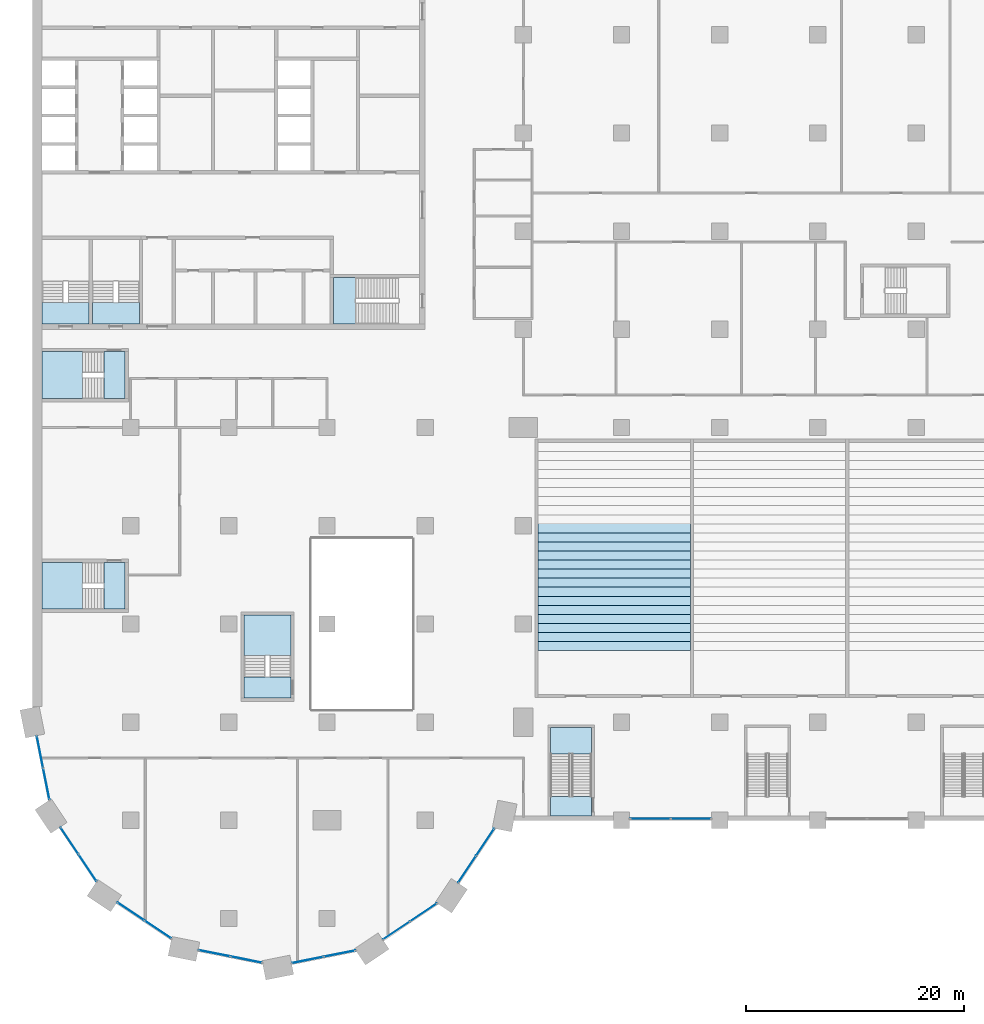
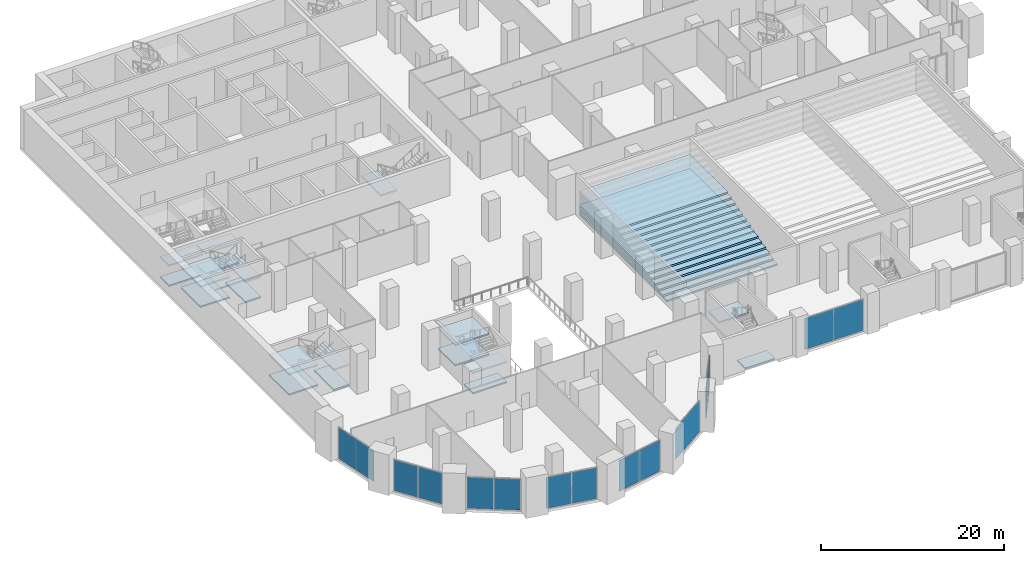
# One storey, part 10 of 44: 33 slabs, 16 plates, 15 elements without a shape of their own.
"""IFC4 building model written with IfcOpenShell, lengths in metres."""

from ifc_helpers import new_model, si_unit, direction, frame, origin, origin_2d, place, context, subcontext, project, spatial, polyline, rectangle, outline, extrude, material, layer, layer_set, type_object, element, aggregate, save


model = new_model("IFC4")

# Units and contexts
model_context = context("Model", 3, precision=1e-05, world=origin(), true_north=direction((0.0, 1.0)))
body_context = subcontext(model_context, "Body", "Model", "MODEL_VIEW")
ifc_project = project(units=[si_unit("LENGTHUNIT", "METRE"), si_unit("AREAUNIT", "SQUARE_METRE"), si_unit("VOLUMEUNIT", "CUBIC_METRE"), si_unit("PLANEANGLEUNIT", "RADIAN"), si_unit("MASSUNIT", "GRAM", prefix="KILO")], contexts=[model_context])

# Site, building, storey
site_placement = place(None, origin())
site = spatial("IfcSite", under=ifc_project, at=site_placement, CompositionType="ELEMENT")
building_placement = place(site_placement, origin())
building = spatial("IfcBuilding", under=site, at=building_placement, Name="Hunhe Ridgeline Campus", CompositionType="ELEMENT")
storey_placement = place(building_placement, frame((0.0, 0.0, 6.0)))
storey = spatial("IfcBuildingStorey", under=building, at=storey_placement, Name="L01", CompositionType="ELEMENT", Elevation=6.0)

# Curtain wall, plates
ifc_material_1 = material(Name="Aluminium and glass", Category="aluminium")
curtain_wall_type = type_object("IfcCurtainWallType", Name="Podium curtain wall CW-2", PredefinedType="NOTDEFINED", material=ifc_material_1)
curtain_wall_1_placement = place(storey_placement, origin())
curtain_wall_1 = element("IfcCurtainWall", 1, at=curtain_wall_1_placement, inside=storey, type_object=curtain_wall_type, Name="L01 podium curtain wall 9", PredefinedType="NOTDEFINED")
ifc_material_2 = material(Name="Clear glass", Category="glass")
ifc_layer_1 = layer(ifc_material_2, 0.028076171875)
ifc_layer_set_1 = layer_set([ifc_layer_1], Name="CW-2 clear glass panel 28")
plate_type = type_object("IfcPlateType", Name="CW-2 clear glass panel 28", PredefinedType="CURTAIN_PANEL", material=ifc_layer_set_1)
plate_1_placement = place(storey_placement, frame((0.69677734375, 24.265869140625, 0.06005859375), z_axis=(0.0, 0.0, 1.0), x_axis=(0.195098458454, -0.98078366193, 0.0)))
plate_1 = element("IfcPlate", 2, at=plate_1_placement, type_object=plate_type, Name="CW2 panel 1.1", PredefinedType="CURTAIN_PANEL", context=body_context, shape_type="SweptSolid", body=[
    extrude(rectangle(XDim=2.914794921875, YDim=0.028076171875, at=origin_2d()), origin(), (0.0, 0.0, 1.0), 4.1298828125),
])
plate_2_placement = place(storey_placement, frame((1.277099609375, 21.34814453125, 0.06005859375), z_axis=(0.0, 0.0, 1.0), x_axis=(0.195098458454, -0.98078366193, 0.0)))
plate_2 = element("IfcPlate", 3, at=plate_2_placement, type_object=plate_type, Name="CW2 panel 2.1", PredefinedType="CURTAIN_PANEL", context=body_context, shape_type="SweptSolid", body=[
    extrude(rectangle(XDim=2.914794921875, YDim=0.028076171875, at=origin_2d()), origin(), (0.0, 0.0, 1.0), 4.1298828125),
])
aggregate(curtain_wall_1, [plate_1, plate_2])

curtain_wall_2_placement = place(storey_placement, origin())
curtain_wall_2 = element("IfcCurtainWall", 4, at=curtain_wall_2_placement, inside=storey, type_object=curtain_wall_type, Name="L01 podium curtain wall 10", PredefinedType="NOTDEFINED")
plate_3_placement = place(storey_placement, frame((3.40283203125, 16.13037109375, 0.06005859375), z_axis=(0.0, 0.0, 1.0), x_axis=(0.555579224709, -0.831463604177, 0.0)))
plate_3 = element("IfcPlate", 5, at=plate_3_placement, type_object=plate_type, Name="CW2 panel 1.1", PredefinedType="CURTAIN_PANEL", context=body_context, shape_type="SweptSolid", body=[
    extrude(rectangle(XDim=2.914794921875, YDim=0.028076171875, at=origin_2d()), origin(), (0.0, 0.0, 1.0), 4.1298828125),
])
plate_4_placement = place(storey_placement, frame((5.055419921875, 13.65673828125, 0.06005859375), z_axis=(0.0, 0.0, 1.0), x_axis=(0.555579224709, -0.831463604177, 0.0)))
plate_4 = element("IfcPlate", 6, at=plate_4_placement, type_object=plate_type, Name="CW2 panel 2.1", PredefinedType="CURTAIN_PANEL", context=body_context, shape_type="SweptSolid", body=[
    extrude(rectangle(XDim=2.914794921875, YDim=0.028076171875, at=origin_2d()), origin(), (0.0, 0.0, 1.0), 4.1298828125),
])
aggregate(curtain_wall_2, [plate_3, plate_4])

curtain_wall_3_placement = place(storey_placement, origin())
curtain_wall_3 = element("IfcCurtainWall", 7, at=curtain_wall_3_placement, inside=storey, type_object=curtain_wall_type, Name="L01 podium curtain wall 11", PredefinedType="NOTDEFINED")
plate_5_placement = place(storey_placement, frame((9.01611328125, 9.649658203125, 0.06005859375), z_axis=(0.0, 0.0, 1.0), x_axis=(0.831468740176, -0.555571538247, 0.0)))
plate_5 = element("IfcPlate", 8, at=plate_5_placement, type_object=plate_type, Name="CW2 panel 1.1", PredefinedType="CURTAIN_PANEL", context=body_context, shape_type="SweptSolid", body=[
    extrude(rectangle(XDim=2.9150390625, YDim=0.028076171875, at=origin_2d()), origin(), (0.0, 0.0, 1.0), 4.1298828125),
])
plate_6_placement = place(storey_placement, frame((11.489501953125, 7.996826171875, 0.06005859375), z_axis=(0.0, 0.0, 1.0), x_axis=(0.831468740176, -0.555571538247, 0.0)))
plate_6 = element("IfcPlate", 9, at=plate_6_placement, type_object=plate_type, Name="CW2 panel 2.1", PredefinedType="CURTAIN_PANEL", context=body_context, shape_type="SweptSolid", body=[
    extrude(rectangle(XDim=2.9150390625, YDim=0.028076171875, at=origin_2d()), origin(), (0.0, 0.0, 1.0), 4.1298828125),
])
aggregate(curtain_wall_3, [plate_5, plate_6])

curtain_wall_4_placement = place(storey_placement, origin())
curtain_wall_4 = element("IfcCurtainWall", 10, at=curtain_wall_4_placement, inside=storey, type_object=curtain_wall_type, Name="L01 podium curtain wall 12", PredefinedType="NOTDEFINED")
plate_7_placement = place(storey_placement, frame((16.68212890625, 5.81005859375, 0.06005859375), z_axis=(0.0, 0.0, 1.0), x_axis=(0.980787479014, -0.195079268527, 0.0)))
plate_7 = element("IfcPlate", 11, at=plate_7_placement, type_object=plate_type, Name="CW2 panel 1.1", PredefinedType="CURTAIN_PANEL", context=body_context, shape_type="SweptSolid", body=[
    extrude(rectangle(XDim=2.9150390625, YDim=0.028076171875, at=origin_2d()), origin(), (0.0, 0.0, 1.0), 4.1298828125),
])
plate_8_placement = place(storey_placement, frame((19.60009765625, 5.229736328125, 0.06005859375), z_axis=(0.0, 0.0, 1.0), x_axis=(0.980787479014, -0.195079268527, 0.0)))
plate_8 = element("IfcPlate", 12, at=plate_8_placement, type_object=plate_type, Name="CW2 panel 2.1", PredefinedType="CURTAIN_PANEL", context=body_context, shape_type="SweptSolid", body=[
    extrude(rectangle(XDim=2.9150390625, YDim=0.028076171875, at=origin_2d()), origin(), (0.0, 0.0, 1.0), 4.1298828125),
])
aggregate(curtain_wall_4, [plate_7, plate_8])

curtain_wall_5_placement = place(storey_placement, origin())
curtain_wall_5 = element("IfcCurtainWall", 13, at=curtain_wall_5_placement, inside=storey, type_object=curtain_wall_type, Name="L01 podium curtain wall 13", PredefinedType="NOTDEFINED")
plate_9_placement = place(storey_placement, frame((25.234130859375, 5.19677734375, 0.06005859375), z_axis=(0.0, 0.0, 1.0), x_axis=(0.98078366193, 0.195098458454, 0.0)))
plate_9 = element("IfcPlate", 14, at=plate_9_placement, type_object=plate_type, Name="CW2 panel 1.1", PredefinedType="CURTAIN_PANEL", context=body_context, shape_type="SweptSolid", body=[
    extrude(rectangle(XDim=2.914794921875, YDim=0.028076171875, at=origin_2d()), origin(), (0.0, 0.0, 1.0), 4.1298828125),
])
plate_10_placement = place(storey_placement, frame((28.15185546875, 5.777099609375, 0.06005859375), z_axis=(0.0, 0.0, 1.0), x_axis=(0.98078366193, 0.195098458454, 0.0)))
plate_10 = element("IfcPlate", 15, at=plate_10_placement, type_object=plate_type, Name="CW2 panel 2.1", PredefinedType="CURTAIN_PANEL", context=body_context, shape_type="SweptSolid", body=[
    extrude(rectangle(XDim=2.914794921875, YDim=0.028076171875, at=origin_2d()), origin(), (0.0, 0.0, 1.0), 4.1298828125),
])
aggregate(curtain_wall_5, [plate_9, plate_10])

curtain_wall_6_placement = place(storey_placement, origin())
curtain_wall_6 = element("IfcCurtainWall", 16, at=curtain_wall_6_placement, inside=storey, type_object=curtain_wall_type, Name="L01 podium curtain wall 14", PredefinedType="NOTDEFINED")
plate_11_placement = place(storey_placement, frame((33.36962890625, 7.90283203125, 0.06005859375), z_axis=(0.0, 0.0, 1.0), x_axis=(0.831463604177, 0.555579224709, 0.0)))
plate_11 = element("IfcPlate", 17, at=plate_11_placement, type_object=plate_type, Name="CW2 panel 1.1", PredefinedType="CURTAIN_PANEL", context=body_context, shape_type="SweptSolid", body=[
    extrude(rectangle(XDim=2.914794921875, YDim=0.028076171875, at=origin_2d()), origin(), (0.0, 0.0, 1.0), 4.1298828125),
])
plate_12_placement = place(storey_placement, frame((35.84326171875, 9.555419921875, 0.06005859375), z_axis=(0.0, 0.0, 1.0), x_axis=(0.831463604177, 0.555579224709, 0.0)))
plate_12 = element("IfcPlate", 18, at=plate_12_placement, type_object=plate_type, Name="CW2 panel 2.1", PredefinedType="CURTAIN_PANEL", context=body_context, shape_type="SweptSolid", body=[
    extrude(rectangle(XDim=2.914794921875, YDim=0.028076171875, at=origin_2d()), origin(), (0.0, 0.0, 1.0), 4.1298828125),
])
aggregate(curtain_wall_6, [plate_11, plate_12])

curtain_wall_7_placement = place(storey_placement, origin())
curtain_wall_7 = element("IfcCurtainWall", 19, at=curtain_wall_7_placement, inside=storey, type_object=curtain_wall_type, Name="L01 podium curtain wall 15", PredefinedType="NOTDEFINED")
plate_13_placement = place(storey_placement, frame((39.850341796875, 13.51611328125, 0.06005859375), z_axis=(0.0, 0.0, 1.0), x_axis=(0.555571538247, 0.831468740176, 0.0)))
plate_13 = element("IfcPlate", 20, at=plate_13_placement, type_object=plate_type, Name="CW2 panel 1.1", PredefinedType="CURTAIN_PANEL", context=body_context, shape_type="SweptSolid", body=[
    extrude(rectangle(XDim=2.9150390625, YDim=0.028076171875, at=origin_2d()), origin(), (0.0, 0.0, 1.0), 4.1298828125),
])
plate_14_placement = place(storey_placement, frame((41.503173828125, 15.989501953125, 0.06005859375), z_axis=(0.0, 0.0, 1.0), x_axis=(0.555571538247, 0.831468740176, 0.0)))
plate_14 = element("IfcPlate", 21, at=plate_14_placement, type_object=plate_type, Name="CW2 panel 2.1", PredefinedType="CURTAIN_PANEL", context=body_context, shape_type="SweptSolid", body=[
    extrude(rectangle(XDim=2.9150390625, YDim=0.028076171875, at=origin_2d()), origin(), (0.0, 0.0, 1.0), 4.1298828125),
])
aggregate(curtain_wall_7, [plate_13, plate_14])

curtain_wall_8_placement = place(storey_placement, origin())
curtain_wall_8 = element("IfcCurtainWall", 22, at=curtain_wall_8_placement, inside=storey, type_object=curtain_wall_type, Name="L01 podium curtain wall 17", PredefinedType="NOTDEFINED")
plate_15_placement = place(storey_placement, frame((56.639892578125, 18.14990234375, 0.06005859375), z_axis=(0.0, 0.0, 1.0), x_axis=(1.0, 0.0, 0.0)))
plate_15 = element("IfcPlate", 23, at=plate_15_placement, type_object=plate_type, Name="CW2 panel 1.1", PredefinedType="CURTAIN_PANEL", context=body_context, shape_type="SweptSolid", body=[
    extrude(rectangle(XDim=3.659912109375, YDim=0.028076171875, at=origin_2d()), origin(), (0.0, 0.0, 1.0), 4.1298828125),
])
plate_16_placement = place(storey_placement, frame((60.360107421875, 18.14990234375, 0.06005859375), z_axis=(0.0, 0.0, 1.0), x_axis=(1.0, 0.0, 0.0)))
plate_16 = element("IfcPlate", 24, at=plate_16_placement, type_object=plate_type, Name="CW2 panel 2.1", PredefinedType="CURTAIN_PANEL", context=body_context, shape_type="SweptSolid", body=[
    extrude(rectangle(XDim=3.659912109375, YDim=0.028076171875, at=origin_2d()), origin(), (0.0, 0.0, 1.0), 4.1298828125),
])
aggregate(curtain_wall_8, [plate_15, plate_16])

# Stair, slabs
ifc_material_3 = material(Name="Concrete C40", Category="concrete")
stair_type_1 = type_object("IfcStairType", Name="Podium exit stair 1800", PredefinedType="HALF_TURN_STAIR", material=ifc_material_3)
stair_1_placement = place(storey_placement, origin())
stair_1 = element("IfcStair", 25, at=stair_1_placement, inside=storey, type_object=stair_type_1, Name="L01 podium stair PS1", PredefinedType="HALF_TURN_STAIR")
ifc_layer_2 = layer(ifc_material_3, 0.199951171875)
ifc_layer_set_2 = layer_set([ifc_layer_2], Name="Podium stair landing 200 C40")
slab_type_1 = type_object("IfcSlabType", Name="Podium stair landing 200 C40", PredefinedType="LANDING", material=ifc_layer_set_2)
slab_1_placement = place(storey_placement, frame((0.0, 0.0, 2.5)))
slab_1 = element("IfcSlab", 26, at=slab_1_placement, type_object=slab_type_1, Name="PS1 landing 1", PredefinedType="LANDING", context=body_context, shape_type="SweptSolid", body=[
    extrude(outline(polyline([(51.25, 24.10009765625), (51.25, 26.5), (47.5, 26.5), (47.5, 24.10009765625), (51.25, 24.10009765625)])), origin(), (0.0, 0.0, 1.0), 0.199951171875),
])
slab_2_placement = place(storey_placement, frame((0.0, 0.0, -0.199951171875)))
slab_2 = element("IfcSlab", 27, at=slab_2_placement, type_object=slab_type_1, Name="PS1 landing 2", PredefinedType="LANDING", context=body_context, shape_type="SweptSolid", body=[
    extrude(outline(polyline([(47.5, 18.39990234375), (51.25, 18.39990234375), (51.25, 20.199951171875), (47.5, 20.199951171875), (47.5, 18.39990234375)])), origin(), (0.0, 0.0, 1.0), 0.199951171875),
])
aggregate(stair_1, [slab_1, slab_2])

# Slabs
ifc_layer_3 = layer(ifc_material_3, 0.235107421875)
ifc_layer_set_3 = layer_set([ifc_layer_3], Name="Raked seating tier platform C40")
slab_type_2 = type_object("IfcSlabType", Name="Raked seating tier platform C40", PredefinedType="FLOOR", material=ifc_layer_set_3)
slab_3_placement = place(storey_placement, origin())
element("IfcSlab", 28, at=slab_3_placement, inside=storey, type_object=slab_type_2, Name="Lecture Hall A seating tier platform 1", PredefinedType="FLOOR", context=body_context, shape_type="SweptSolid", body=[
    extrude(outline(polyline([(46.35009765625, 33.550048828125), (60.300048828125, 33.550048828125), (60.300048828125, 52.64990234375), (46.35009765625, 52.64990234375), (46.35009765625, 33.550048828125)])), origin(), (0.0, 0.0, 1.0), 0.23486328125),
])
slab_4_placement = place(storey_placement, frame((0.0, 0.0, 0.23486328125)))
element("IfcSlab", 29, at=slab_4_placement, inside=storey, type_object=slab_type_2, Name="Lecture Hall A seating tier platform 2", PredefinedType="FLOOR", context=body_context, shape_type="SweptSolid", body=[
    extrude(outline(polyline([(46.35009765625, 34.38037109375), (60.300048828125, 34.38037109375), (60.300048828125, 52.64990234375), (46.35009765625, 52.64990234375), (46.35009765625, 34.38037109375)])), origin(), (0.0, 0.0, 1.0), 0.234619140625),
])
slab_5_placement = place(storey_placement, frame((0.0, 0.0, 0.469482421875)))
element("IfcSlab", 30, at=slab_5_placement, inside=storey, type_object=slab_type_2, Name="Lecture Hall A seating tier platform 3", PredefinedType="FLOOR", context=body_context, shape_type="SweptSolid", body=[
    extrude(outline(polyline([(46.35009765625, 35.2109375), (60.300048828125, 35.2109375), (60.300048828125, 52.64990234375), (46.35009765625, 52.64990234375), (46.35009765625, 35.2109375)])), origin(), (0.0, 0.0, 1.0), 0.23486328125),
])
slab_6_placement = place(storey_placement, frame((0.0, 0.0, 0.704345703125)))
element("IfcSlab", 31, at=slab_6_placement, inside=storey, type_object=slab_type_2, Name="Lecture Hall A seating tier platform 4", PredefinedType="FLOOR", context=body_context, shape_type="SweptSolid", body=[
    extrude(outline(polyline([(46.35009765625, 36.041259765625), (60.300048828125, 36.041259765625), (60.300048828125, 52.64990234375), (46.35009765625, 52.64990234375), (46.35009765625, 36.041259765625)])), origin(), (0.0, 0.0, 1.0), 0.23486328125),
])
slab_7_placement = place(storey_placement, frame((0.0, 0.0, 0.939208984375)))
element("IfcSlab", 32, at=slab_7_placement, inside=storey, type_object=slab_type_2, Name="Lecture Hall A seating tier platform 5", PredefinedType="FLOOR", context=body_context, shape_type="SweptSolid", body=[
    extrude(outline(polyline([(46.35009765625, 36.87158203125), (60.300048828125, 36.87158203125), (60.300048828125, 52.64990234375), (46.35009765625, 52.64990234375), (46.35009765625, 36.87158203125)])), origin(), (0.0, 0.0, 1.0), 0.234619140625),
])
slab_8_placement = place(storey_placement, frame((0.0, 0.0, 1.173828125)))
element("IfcSlab", 33, at=slab_8_placement, inside=storey, type_object=slab_type_2, Name="Lecture Hall A seating tier platform 6", PredefinedType="FLOOR", context=body_context, shape_type="SweptSolid", body=[
    extrude(outline(polyline([(46.35009765625, 37.7021484375), (60.300048828125, 37.7021484375), (60.300048828125, 52.64990234375), (46.35009765625, 52.64990234375), (46.35009765625, 37.7021484375)])), origin(), (0.0, 0.0, 1.0), 0.23486328125),
])
slab_9_placement = place(storey_placement, frame((0.0, 0.0, 1.40869140625)))
element("IfcSlab", 34, at=slab_9_placement, inside=storey, type_object=slab_type_2, Name="Lecture Hall A seating tier platform 7", PredefinedType="FLOOR", context=body_context, shape_type="SweptSolid", body=[
    extrude(outline(polyline([(46.35009765625, 38.53271484375), (60.300048828125, 38.53271484375), (60.300048828125, 52.64990234375), (46.35009765625, 52.64990234375), (46.35009765625, 38.53271484375)])), origin(), (0.0, 0.0, 1.0), 0.23486328125),
])
slab_10_placement = place(storey_placement, frame((0.0, 0.0, 1.6435546875)))
element("IfcSlab", 35, at=slab_10_placement, inside=storey, type_object=slab_type_2, Name="Lecture Hall A seating tier platform 8", PredefinedType="FLOOR", context=body_context, shape_type="SweptSolid", body=[
    extrude(outline(polyline([(46.35009765625, 39.363037109375), (60.300048828125, 39.363037109375), (60.300048828125, 52.64990234375), (46.35009765625, 52.64990234375), (46.35009765625, 39.363037109375)])), origin(), (0.0, 0.0, 1.0), 0.23486328125),
])
slab_11_placement = place(storey_placement, frame((0.0, 0.0, 1.87841796875)))
element("IfcSlab", 36, at=slab_11_placement, inside=storey, type_object=slab_type_2, Name="Lecture Hall A seating tier platform 9", PredefinedType="FLOOR", context=body_context, shape_type="SweptSolid", body=[
    extrude(outline(polyline([(46.35009765625, 40.193603515625), (60.300048828125, 40.193603515625), (60.300048828125, 52.64990234375), (46.35009765625, 52.64990234375), (46.35009765625, 40.193603515625)])), origin(), (0.0, 0.0, 1.0), 0.234619140625),
])
slab_12_placement = place(storey_placement, frame((0.0, 0.0, 2.113037109375)))
element("IfcSlab", 37, at=slab_12_placement, inside=storey, type_object=slab_type_2, Name="Lecture Hall A seating tier platform 10", PredefinedType="FLOOR", context=body_context, shape_type="SweptSolid", body=[
    extrude(outline(polyline([(46.35009765625, 41.02392578125), (60.300048828125, 41.02392578125), (60.300048828125, 52.64990234375), (46.35009765625, 52.64990234375), (46.35009765625, 41.02392578125)])), origin(), (0.0, 0.0, 1.0), 0.23486328125),
])
slab_13_placement = place(storey_placement, frame((0.0, 0.0, 2.347900390625)))
element("IfcSlab", 38, at=slab_13_placement, inside=storey, type_object=slab_type_2, Name="Lecture Hall A seating tier platform 11", PredefinedType="FLOOR", context=body_context, shape_type="SweptSolid", body=[
    extrude(outline(polyline([(46.35009765625, 41.854248046875), (60.300048828125, 41.854248046875), (60.300048828125, 52.64990234375), (46.35009765625, 52.64990234375), (46.35009765625, 41.854248046875)])), origin(), (0.0, 0.0, 1.0), 0.234619140625),
])
slab_14_placement = place(storey_placement, frame((0.0, 0.0, 2.58251953125)))
element("IfcSlab", 39, at=slab_14_placement, inside=storey, type_object=slab_type_2, Name="Lecture Hall A seating tier platform 12", PredefinedType="FLOOR", context=body_context, shape_type="SweptSolid", body=[
    extrude(outline(polyline([(46.35009765625, 42.684814453125), (60.300048828125, 42.684814453125), (60.300048828125, 52.64990234375), (46.35009765625, 52.64990234375), (46.35009765625, 42.684814453125)])), origin(), (0.0, 0.0, 1.0), 0.23486328125),
])
slab_15_placement = place(storey_placement, frame((0.0, 0.0, 2.8173828125)))
element("IfcSlab", 40, at=slab_15_placement, inside=storey, type_object=slab_type_2, Name="Lecture Hall A seating tier platform 13", PredefinedType="FLOOR", context=body_context, shape_type="SweptSolid", body=[
    extrude(outline(polyline([(46.35009765625, 43.51513671875), (60.300048828125, 43.51513671875), (60.300048828125, 52.64990234375), (46.35009765625, 52.64990234375), (46.35009765625, 43.51513671875)])), origin(), (0.0, 0.0, 1.0), 0.23486328125),
])
slab_16_placement = place(storey_placement, frame((0.0, 0.0, 3.05224609375)))
element("IfcSlab", 41, at=slab_16_placement, inside=storey, type_object=slab_type_2, Name="Lecture Hall A seating tier platform 14", PredefinedType="FLOOR", context=body_context, shape_type="SweptSolid", body=[
    extrude(outline(polyline([(46.35009765625, 44.345703125), (60.300048828125, 44.345703125), (60.300048828125, 52.64990234375), (46.35009765625, 52.64990234375), (46.35009765625, 44.345703125)])), origin(), (0.0, 0.0, 1.0), 0.23486328125),
])

# Stair, slab
stair_type_2 = type_object("IfcStairType", Name="Reinforced concrete dog-leg stair 1950 Concrete C40", PredefinedType="HALF_TURN_STAIR", material=ifc_material_3)
stair_2_placement = place(storey_placement, origin())
stair_2 = element("IfcStair", 42, at=stair_2_placement, inside=storey, type_object=stair_type_2, Name="L01 S2", PredefinedType="HALF_TURN_STAIR")
ifc_layer_4 = layer(ifc_material_3, 0.199951171875)
ifc_layer_set_4 = layer_set([ifc_layer_4], Name="Reinforced concrete stair landing 200 Concrete C40")
slab_type_3 = type_object("IfcSlabType", Name="Reinforced concrete stair landing 200 Concrete C40", PredefinedType="LANDING", material=ifc_layer_set_4)
slab_17_placement = place(storey_placement, frame((0.0, 0.0, 2.5)))
slab_17 = element("IfcSlab", 43, at=slab_17_placement, type_object=slab_type_3, Name="ST2 landing 1", PredefinedType="LANDING", context=body_context, shape_type="SweptSolid", body=[
    extrude(outline(polyline([(29.6298828125, 67.75), (27.60009765625, 67.75), (27.60009765625, 63.5), (29.6298828125, 63.5), (29.6298828125, 67.75)])), origin(), (0.0, 0.0, 1.0), 0.199951171875),
])
aggregate(stair_2, [slab_17])

stair_3_placement = place(storey_placement, origin())
stair_3 = element("IfcStair", 44, at=stair_3_placement, inside=storey, type_object=stair_type_2, Name="L01 S3", PredefinedType="HALF_TURN_STAIR")
slab_18_placement = place(storey_placement, frame((0.0, 0.0, 2.5)))
slab_18 = element("IfcSlab", 45, at=slab_18_placement, type_object=slab_type_3, Name="ST3 landing 2", PredefinedType="LANDING", context=body_context, shape_type="SweptSolid", body=[
    extrude(outline(polyline([(5.199951171875, 63.5), (5.199951171875, 65.449951171875), (0.89990234375, 65.449951171875), (0.89990234375, 63.5), (5.199951171875, 63.5)])), origin(), (0.0, 0.0, 1.0), 0.199951171875),
])
aggregate(stair_3, [slab_18])

# Slab
slab_19_placement = place(storey_placement, frame((0.0, 0.0, -0.199951171875)))
element("IfcSlab", 46, at=slab_19_placement, inside=storey, type_object=slab_type_3, Name="L01 stair S3 floor landing", PredefinedType="LANDING", context=body_context, shape_type="SweptSolid", body=[
    extrude(outline(polyline([(5.199951171875, 63.5), (5.199951171875, 65.449951171875), (0.89990234375, 65.449951171875), (0.89990234375, 63.5), (5.199951171875, 63.5)])), origin(), (0.0, 0.0, 1.0), 0.199951171875),
])

# Stair, slab
stair_4_placement = place(storey_placement, origin())
stair_4 = element("IfcStair", 47, at=stair_4_placement, inside=storey, type_object=stair_type_2, Name="L01 S4", PredefinedType="HALF_TURN_STAIR")
slab_20_placement = place(storey_placement, frame((0.0, 0.0, 2.5)))
slab_20 = element("IfcSlab", 48, at=slab_20_placement, type_object=slab_type_3, Name="ST4 landing 2", PredefinedType="LANDING", context=body_context, shape_type="SweptSolid", body=[
    extrude(outline(polyline([(9.800048828125, 63.5), (9.800048828125, 65.449951171875), (5.5, 65.449951171875), (5.5, 63.5), (9.800048828125, 63.5)])), origin(), (0.0, 0.0, 1.0), 0.199951171875),
])
aggregate(stair_4, [slab_20])

# Slab
slab_21_placement = place(storey_placement, frame((0.0, 0.0, -0.199951171875)))
element("IfcSlab", 49, at=slab_21_placement, inside=storey, type_object=slab_type_3, Name="L01 stair S4 floor landing", PredefinedType="LANDING", context=body_context, shape_type="SweptSolid", body=[
    extrude(outline(polyline([(9.800048828125, 63.5), (9.800048828125, 65.449951171875), (5.5, 65.449951171875), (5.5, 63.5), (9.800048828125, 63.5)])), origin(), (0.0, 0.0, 1.0), 0.199951171875),
])

# Stair, slabs
stair_5_placement = place(storey_placement, origin())
stair_5 = element("IfcStair", 50, at=stair_5_placement, inside=storey, type_object=stair_type_2, Name="L01 W3", PredefinedType="HALF_TURN_STAIR")
slab_22_placement = place(storey_placement, frame((0.0, 0.0, 1.14990234375)))
slab_22 = element("IfcSlab", 51, at=slab_22_placement, type_object=slab_type_3, Name="ST9 landing 1", PredefinedType="LANDING", context=body_context, shape_type="SweptSolid", body=[
    extrude(outline(polyline([(23.699951171875, 33.110107421875), (23.699951171875, 36.800048828125), (19.39990234375, 36.800048828125), (19.39990234375, 33.110107421875), (23.699951171875, 33.110107421875)])), origin(), (0.0, 0.0, 1.0), 0.2001953125),
])
slab_23_placement = place(storey_placement, frame((0.0, 0.0, 2.5)))
slab_23 = element("IfcSlab", 52, at=slab_23_placement, type_object=slab_type_3, Name="ST9 landing 2", PredefinedType="LANDING", context=body_context, shape_type="SweptSolid", body=[
    extrude(outline(polyline([(23.699951171875, 29.199951171875), (23.699951171875, 31.14990234375), (19.39990234375, 31.14990234375), (19.39990234375, 29.199951171875), (23.699951171875, 29.199951171875)])), origin(), (0.0, 0.0, 1.0), 0.199951171875),
])
slab_24_placement = place(storey_placement, frame((0.0, 0.0, 3.85009765625)))
slab_24 = element("IfcSlab", 53, at=slab_24_placement, type_object=slab_type_3, Name="ST9 landing 3", PredefinedType="LANDING", context=body_context, shape_type="SweptSolid", body=[
    extrude(outline(polyline([(23.699951171875, 33.110107421875), (23.699951171875, 36.800048828125), (19.39990234375, 36.800048828125), (19.39990234375, 33.110107421875), (23.699951171875, 33.110107421875)])), origin(), (0.0, 0.0, 1.0), 0.199951171875),
])
aggregate(stair_5, [slab_22, slab_23, slab_24])

# Slab
slab_25_placement = place(storey_placement, frame((0.0, 0.0, -0.199951171875)))
element("IfcSlab", 54, at=slab_25_placement, inside=storey, type_object=slab_type_3, Name="L01 stair W3 floor landing", PredefinedType="LANDING", context=body_context, shape_type="SweptSolid", body=[
    extrude(outline(polyline([(23.699951171875, 29.199951171875), (23.699951171875, 31.14990234375), (19.39990234375, 31.14990234375), (19.39990234375, 29.199951171875), (23.699951171875, 29.199951171875)])), origin(), (0.0, 0.0, 1.0), 0.199951171875),
])

# Stair, slabs
stair_6_placement = place(storey_placement, origin())
stair_6 = element("IfcStair", 55, at=stair_6_placement, inside=storey, type_object=stair_type_2, Name="L01 W1", PredefinedType="HALF_TURN_STAIR")
slab_26_placement = place(storey_placement, frame((0.0, 0.0, 1.14990234375)))
slab_26 = element("IfcSlab", 56, at=slab_26_placement, type_object=slab_type_3, Name="ST11 landing 1", PredefinedType="LANDING", context=body_context, shape_type="SweptSolid", body=[
    extrude(outline(polyline([(4.590087890625, 41.64990234375), (0.89990234375, 41.64990234375), (0.89990234375, 37.35009765625), (4.590087890625, 37.35009765625), (4.590087890625, 41.64990234375)])), origin(), (0.0, 0.0, 1.0), 0.2001953125),
])
slab_27_placement = place(storey_placement, frame((0.0, 0.0, 2.5)))
slab_27 = element("IfcSlab", 57, at=slab_27_placement, type_object=slab_type_3, Name="ST11 landing 2", PredefinedType="LANDING", context=body_context, shape_type="SweptSolid", body=[
    extrude(outline(polyline([(8.5, 41.64990234375), (6.550048828125, 41.64990234375), (6.550048828125, 37.35009765625), (8.5, 37.35009765625), (8.5, 41.64990234375)])), origin(), (0.0, 0.0, 1.0), 0.199951171875),
])
slab_28_placement = place(storey_placement, frame((0.0, 0.0, 3.85009765625)))
slab_28 = element("IfcSlab", 58, at=slab_28_placement, type_object=slab_type_3, Name="ST11 landing 3", PredefinedType="LANDING", context=body_context, shape_type="SweptSolid", body=[
    extrude(outline(polyline([(4.590087890625, 41.64990234375), (0.89990234375, 41.64990234375), (0.89990234375, 37.35009765625), (4.590087890625, 37.35009765625), (4.590087890625, 41.64990234375)])), origin(), (0.0, 0.0, 1.0), 0.199951171875),
])
aggregate(stair_6, [slab_26, slab_27, slab_28])

# Slab
slab_29_placement = place(storey_placement, frame((0.0, 0.0, -0.199951171875)))
element("IfcSlab", 59, at=slab_29_placement, inside=storey, type_object=slab_type_3, Name="L01 stair W1 floor landing", PredefinedType="LANDING", context=body_context, shape_type="SweptSolid", body=[
    extrude(outline(polyline([(8.5, 41.64990234375), (6.550048828125, 41.64990234375), (6.550048828125, 37.35009765625), (8.5, 37.35009765625), (8.5, 41.64990234375)])), origin(), (0.0, 0.0, 1.0), 0.199951171875),
])

# Stair, slabs
stair_7_placement = place(storey_placement, origin())
stair_7 = element("IfcStair", 60, at=stair_7_placement, inside=storey, type_object=stair_type_2, Name="L01 W2", PredefinedType="HALF_TURN_STAIR")
slab_30_placement = place(storey_placement, frame((0.0, 0.0, 1.14990234375)))
slab_30 = element("IfcSlab", 61, at=slab_30_placement, type_object=slab_type_3, Name="ST12 landing 1", PredefinedType="LANDING", context=body_context, shape_type="SweptSolid", body=[
    extrude(outline(polyline([(4.590087890625, 60.949951171875), (0.89990234375, 60.949951171875), (0.89990234375, 56.64990234375), (4.590087890625, 56.64990234375), (4.590087890625, 60.949951171875)])), origin(), (0.0, 0.0, 1.0), 0.2001953125),
])
slab_31_placement = place(storey_placement, frame((0.0, 0.0, 2.5)))
slab_31 = element("IfcSlab", 62, at=slab_31_placement, type_object=slab_type_3, Name="ST12 landing 2", PredefinedType="LANDING", context=body_context, shape_type="SweptSolid", body=[
    extrude(outline(polyline([(8.5, 60.949951171875), (6.550048828125, 60.949951171875), (6.550048828125, 56.64990234375), (8.5, 56.64990234375), (8.5, 60.949951171875)])), origin(), (0.0, 0.0, 1.0), 0.199951171875),
])
slab_32_placement = place(storey_placement, frame((0.0, 0.0, 3.85009765625)))
slab_32 = element("IfcSlab", 63, at=slab_32_placement, type_object=slab_type_3, Name="ST12 landing 3", PredefinedType="LANDING", context=body_context, shape_type="SweptSolid", body=[
    extrude(outline(polyline([(4.590087890625, 60.949951171875), (0.89990234375, 60.949951171875), (0.89990234375, 56.64990234375), (4.590087890625, 56.64990234375), (4.590087890625, 60.949951171875)])), origin(), (0.0, 0.0, 1.0), 0.199951171875),
])
aggregate(stair_7, [slab_30, slab_31, slab_32])

# Slab
slab_33_placement = place(storey_placement, frame((0.0, 0.0, -0.199951171875)))
element("IfcSlab", 64, at=slab_33_placement, inside=storey, type_object=slab_type_3, Name="L01 stair W2 floor landing", PredefinedType="LANDING", context=body_context, shape_type="SweptSolid", body=[
    extrude(outline(polyline([(8.5, 60.949951171875), (6.550048828125, 60.949951171875), (6.550048828125, 56.64990234375), (8.5, 56.64990234375), (8.5, 60.949951171875)])), origin(), (0.0, 0.0, 1.0), 0.199951171875),
])

save(model, "model.ifc")
